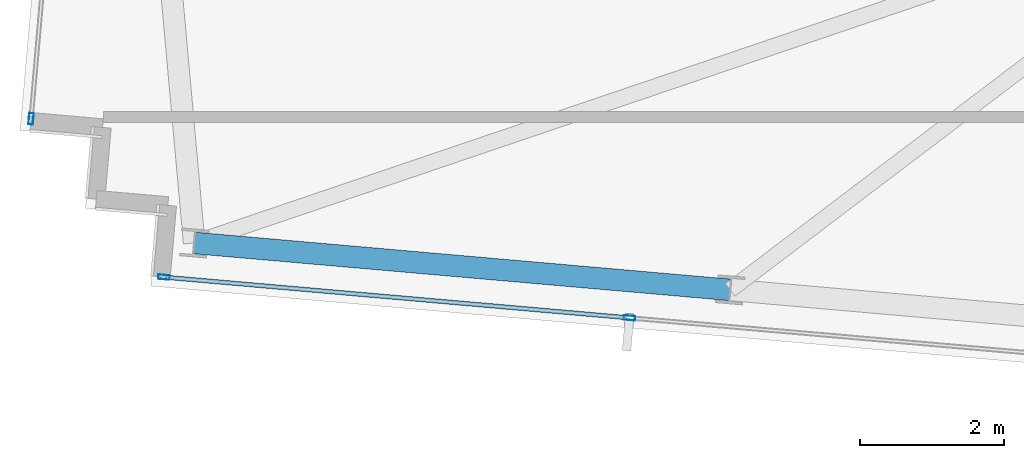
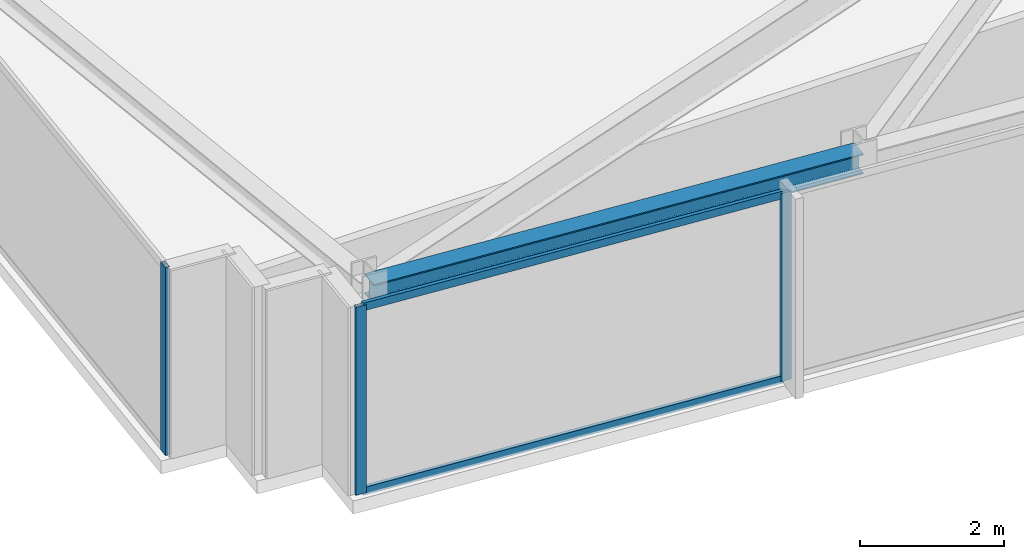
# One storey, part 2 of 32: 5 members, 1 beam, 2 elements without a shape of their own.
"""IFC4 building model written with IfcOpenShell, lengths in metres."""

from ifc_helpers import new_model, si_unit, direction, frame, origin, origin_2d, place, context, subcontext, project, spatial, hollow_rectangle, i_section, extrude, material, material_profile, profile_set, type_object, element, aggregate, save


model = new_model("IFC4")

# Units and contexts
model_context = context("Model", 3, precision=1e-05, world=origin(), true_north=direction((0.0, 1.0)))
body_context = subcontext(model_context, "Body", "Model", "MODEL_VIEW")
ifc_project = project(units=[si_unit("LENGTHUNIT", "METRE"), si_unit("AREAUNIT", "SQUARE_METRE"), si_unit("VOLUMEUNIT", "CUBIC_METRE"), si_unit("PLANEANGLEUNIT", "RADIAN"), si_unit("MASSUNIT", "GRAM", prefix="KILO")], contexts=[model_context])

# Site, building, storey
site_placement = place(None, origin())
site = spatial("IfcSite", under=ifc_project, at=site_placement, CompositionType="ELEMENT")
building_placement = place(site_placement, origin())
building = spatial("IfcBuilding", under=site, at=building_placement, Name="Yelkora Congress Tower", CompositionType="ELEMENT")
storey_placement = place(building_placement, frame((0.0, 0.0, 279.5)))
storey = spatial("IfcBuildingStorey", under=building, at=storey_placement, Name="L78", CompositionType="ELEMENT", Elevation=279.5)

# Beam
ifc_material_1 = material(Name="Steel S355J2", Category="steel")
ifc_material_profile_1 = material_profile(ifc_material_1, i_section(OverallWidth=0.300048828125, OverallDepth=0.340087890625, WebThickness=0.011962890625, FlangeThickness=0.021484375, FilletRadius=0.027099609375, at=origin_2d()), Name="HEB 340")
ifc_profile_set_1 = profile_set([ifc_material_profile_1], Name="Steel S355J2")
beam_type = type_object("IfcBeamType", Name="BM-SPAN-HEB340", PredefinedType="SPANDREL", material=ifc_profile_set_1)
beam_placement = place(storey_placement, frame((7.998046875, 20.097900390625, 3.010009765625), z_axis=(0.996193186297, -0.08717302092, 0.0), x_axis=(0.08717302092, 0.996193186297, 0.0)))
element("IfcBeam", 1, at=beam_placement, inside=storey, type_object=beam_type, Name="L78 Perimeter Beam 1", PredefinedType="SPANDREL", context=body_context, shape_type="SweptSolid", body=[
    extrude(i_section(OverallWidth=0.300048828125, OverallDepth=0.340087890625, WebThickness=0.011962890625, FlangeThickness=0.021484375, FilletRadius=0.027099609375, at=origin_2d()), origin(), (0.0, 0.0, 1.0), 7.4833984375),
])

# Curtain wall, member
ifc_material_2 = material(Name="Anodised aluminium and insulated glass", Category="aluminium")
curtain_wall_type = type_object("IfcCurtainWallType", Name="CW-SYS-B5", PredefinedType="NOTDEFINED", material=ifc_material_2)
curtain_wall_1_placement = place(storey_placement, origin())
curtain_wall_1 = element("IfcCurtainWall", 2, at=curtain_wall_1_placement, inside=storey, type_object=curtain_wall_type, Name="L78 Unitised Curtain Wall 5", PredefinedType="NOTDEFINED")
ifc_material_3 = material(Name="Anodised aluminium 6063-T6", Category="aluminium")
ifc_material_profile_2 = material_profile(ifc_material_3, hollow_rectangle(XDim=0.06494140625, YDim=0.159912109375, WallThickness=0.00390625, at=origin_2d()), Name="ALU 65x160x4")
ifc_profile_set_2 = profile_set([ifc_material_profile_2], Name="Anodised aluminium 6063-T6")
member_type_1 = type_object("IfcMemberType", Name="MEM-ML-B5", PredefinedType="MULLION", material=ifc_profile_set_2)
member_1_placement = place(storey_placement, frame((5.72998046875, 21.824462890625, 0.0), z_axis=(0.0, 0.0, 1.0), x_axis=(-0.996194785929, 0.08715473876, 0.0)))
member_1 = element("IfcMember", 3, at=member_1_placement, type_object=member_type_1, Name="CW-B5 mullion 1", PredefinedType="MULLION", context=body_context, shape_type="SweptSolid", body=[
    extrude(hollow_rectangle(XDim=0.06494140625, YDim=0.159912109375, WallThickness=0.00390625, at=origin_2d()), origin(), (0.0, 0.0, 1.0), 3.179931640625),
])
aggregate(curtain_wall_1, [member_1])

# Curtain wall, members
curtain_wall_2_placement = place(storey_placement, origin())
curtain_wall_2 = element("IfcCurtainWall", 4, at=curtain_wall_2_placement, inside=storey, type_object=curtain_wall_type, Name="L78 Unitised Curtain Wall 20", PredefinedType="NOTDEFINED")
member_2_placement = place(storey_placement, frame((14.0517578125, 19.05615234375, 0.0), z_axis=(0.0, 0.0, 1.0), x_axis=(-0.087156829793, -0.996194602987, 0.0)))
member_2 = element("IfcMember", 5, at=member_2_placement, type_object=member_type_1, Name="CW-B5 mullion 7", PredefinedType="MULLION", context=body_context, shape_type="SweptSolid", body=[
    extrude(hollow_rectangle(XDim=0.06494140625, YDim=0.159912109375, WallThickness=0.00390625, at=origin_2d()), origin(), (0.0, 0.0, 1.0), 3.179931640625),
])
member_3_placement = place(storey_placement, frame((7.57763671875, 19.62255859375, 0.0), z_axis=(0.0, 0.0, 1.0), x_axis=(-0.087156829793, -0.996194602987, 0.0)))
member_3 = element("IfcMember", 6, at=member_3_placement, type_object=member_type_1, Name="CW-B5 mullion 8", PredefinedType="MULLION", context=body_context, shape_type="SweptSolid", body=[
    extrude(hollow_rectangle(XDim=0.06494140625, YDim=0.159912109375, WallThickness=0.00390625, at=origin_2d()), origin(), (0.0, 0.0, 1.0), 3.179931640625),
])
ifc_material_profile_3 = material_profile(ifc_material_3, hollow_rectangle(XDim=0.06005859375, YDim=0.1298828125, WallThickness=0.00390625, at=origin_2d()), Name="ALU 60x130x4")
ifc_profile_set_3 = profile_set([ifc_material_profile_3], Name="Anodised aluminium 6063-T6")
member_type_2 = type_object("IfcMemberType", Name="MEM-TR-B5", PredefinedType="USERDEFINED", material=ifc_profile_set_3)
member_4_placement = place(storey_placement, frame((14.019287109375, 19.05908203125, 0.030029296875), z_axis=(-0.996194170551, 0.08716177236, 0.0), x_axis=(-0.08716177236, -0.996194170551, 0.0)))
member_4 = element("IfcMember", 7, at=member_4_placement, type_object=member_type_2, Name="CW-B5 transom 7.1", ObjectType="TRANSOM", PredefinedType="USERDEFINED", context=body_context, shape_type="SweptSolid", body=[
    extrude(hollow_rectangle(XDim=0.06005859375, YDim=0.1298828125, WallThickness=0.00390625, at=origin_2d()), origin(), (0.0, 0.0, 1.0), 6.433837890625),
])
member_5_placement = place(storey_placement, frame((14.019287109375, 19.05908203125, 3.14990234375), z_axis=(-0.996194170551, 0.08716177236, 0.0), x_axis=(-0.08716177236, -0.996194170551, 0.0)))
member_5 = element("IfcMember", 8, at=member_5_placement, type_object=member_type_2, Name="CW-B5 transom 7.2", ObjectType="TRANSOM", PredefinedType="USERDEFINED", context=body_context, shape_type="SweptSolid", body=[
    extrude(hollow_rectangle(XDim=0.06005859375, YDim=0.1298828125, WallThickness=0.00390625, at=origin_2d()), origin(), (0.0, 0.0, 1.0), 6.433837890625),
])
aggregate(curtain_wall_2, [member_2, member_3, member_4, member_5])

save(model, "model.ifc")
